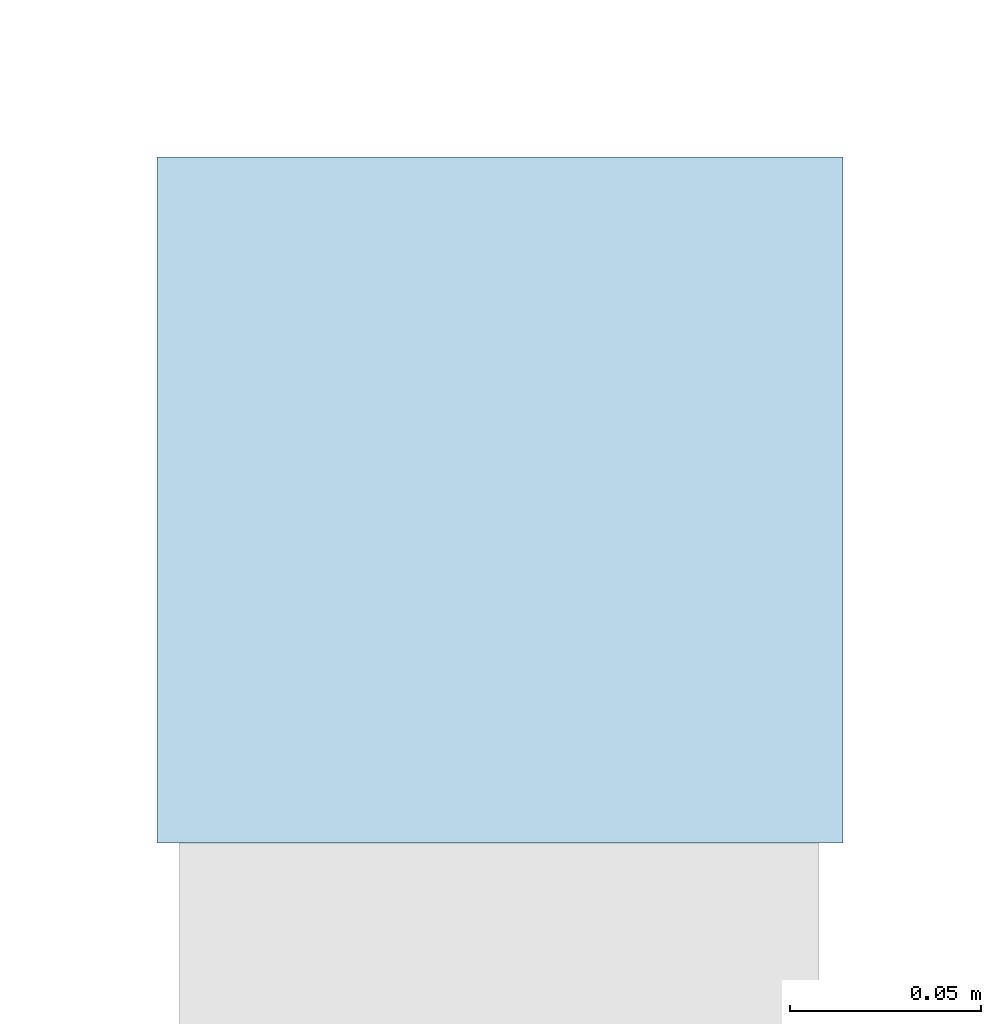
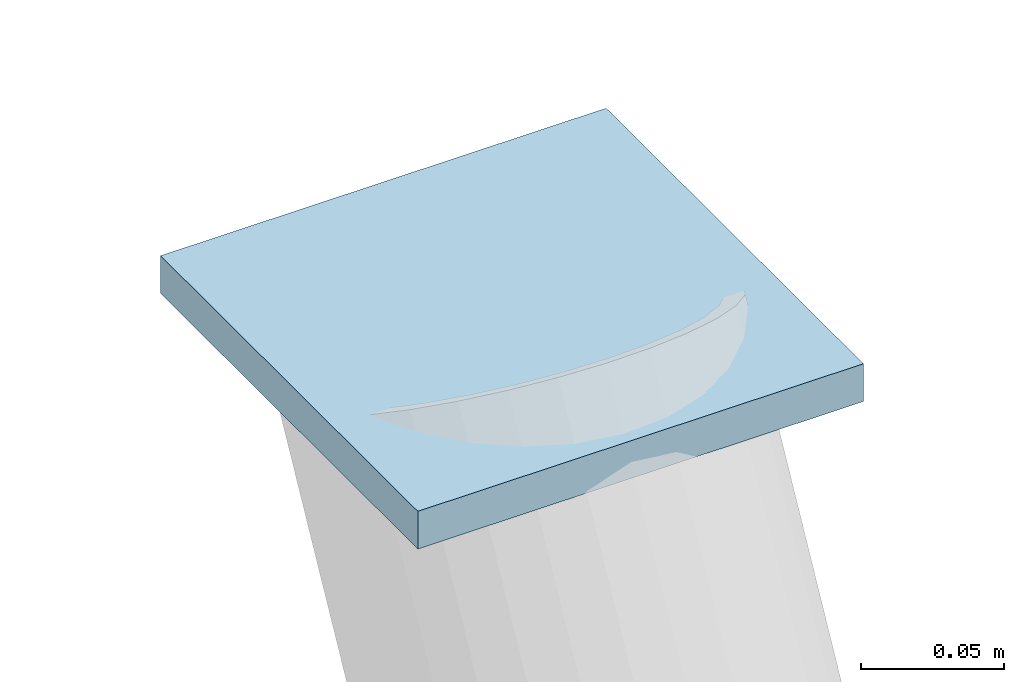
# One storey, part 103 of 122: 1 plate.
"""IFC4 building model written with IfcOpenShell, lengths in metres."""

from ifc_helpers import new_model, si_unit, direction, frame, origin, origin_2d, place, context, subcontext, project, spatial, rectangle, extrude, material, layer, layer_set, type_object, element, save


model = new_model("IFC4")

# Units and contexts
model_context = context("Model", 3, precision=1e-05, world=origin(), true_north=direction((0.0, 1.0)))
body_context = subcontext(model_context, "Body", "Model", "MODEL_VIEW")
ifc_project = project(units=[si_unit("LENGTHUNIT", "METRE"), si_unit("AREAUNIT", "SQUARE_METRE"), si_unit("VOLUMEUNIT", "CUBIC_METRE"), si_unit("PLANEANGLEUNIT", "RADIAN"), si_unit("MASSUNIT", "GRAM", prefix="KILO")], contexts=[model_context])

# Site, building, storey
site_placement = place(None, origin())
site = spatial("IfcSite", under=ifc_project, at=site_placement, CompositionType="ELEMENT")
building_placement = place(site_placement, origin())
building = spatial("IfcBuilding", under=site, at=building_placement, Name="Tenunan Teduh Sports Hall", CompositionType="ELEMENT")
storey_placement = place(building_placement, frame((0.0, 0.0, 5.39990234375)))
storey = spatial("IfcBuildingStorey", under=building, at=storey_placement, Name="L01", CompositionType="ELEMENT", Elevation=5.39990234375)

# Plate
ifc_material = material(Name="Steel S355", Category="steel")
ifc_layer = layer(ifc_material, 0.01611328125)
ifc_layer_set = layer_set([ifc_layer], Name="Steel S355")
plate_type = type_object("IfcPlateType", Name="PLT-CAP-180", PredefinedType="SHEET", material=ifc_layer_set)
plate_placement = place(storey_placement, frame((154.0, 119.300048828125, 4.6201171875), z_axis=(0.0, 0.0, 1.0), x_axis=(1.0, 0.0, 0.0)))
element("IfcPlate", 1, at=plate_placement, inside=storey, type_object=plate_type, Name="PLT-CAP-L01-013", PredefinedType="SHEET", context=body_context, shape_type="SweptSolid", body=[
    extrude(rectangle(XDim=0.179931640625, YDim=0.179931640625, at=origin_2d()), origin(), (0.0, 0.0, 1.0), 0.01611328125),
])

save(model, "model.ifc")
